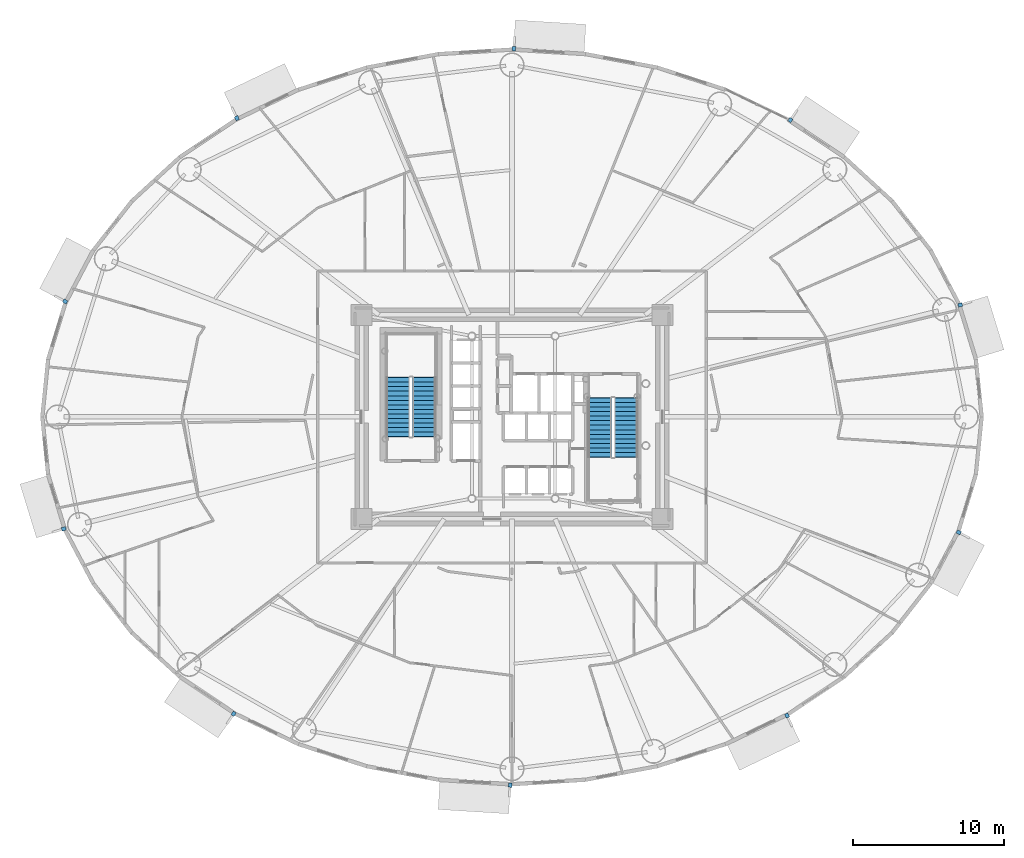
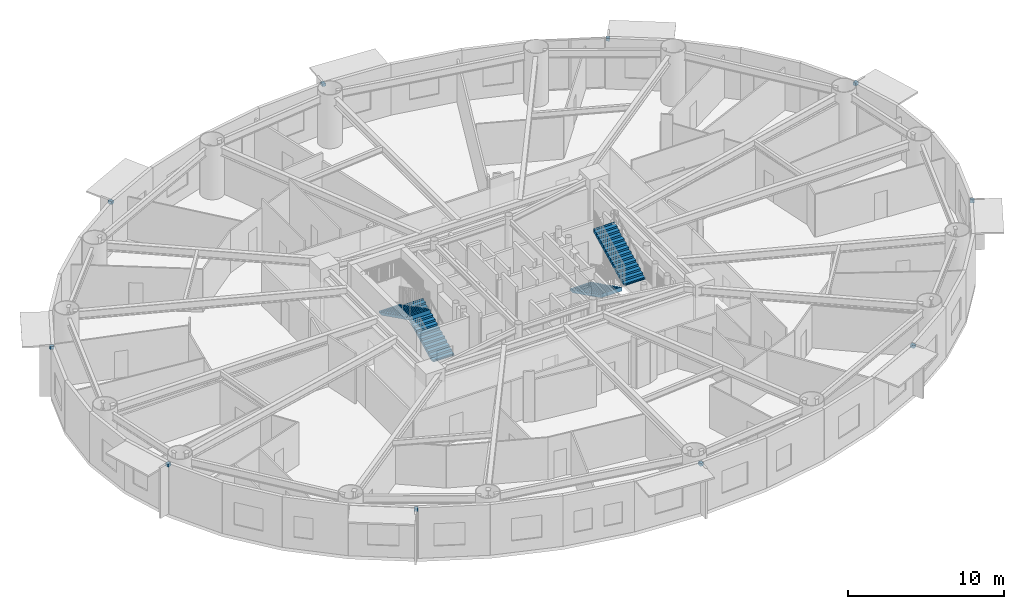
# One storey, part 14 of 21: 10 discrete accessories, 4 stair flights, 2 elements without a shape of their own.
"""IFC4 building model written with IfcOpenShell, lengths in metres."""

from ifc_helpers import new_model, si_unit, direction, frame, origin, origin_2d, place, context, subcontext, project, spatial, polyline, rectangle, outline, extrude, source, transform, mapped, material, type_object, element, aggregate, save


model = new_model("IFC4")

# Units and contexts
model_context = context("Model", 3, precision=1e-05, world=origin(), true_north=direction((0.0, 1.0)))
body_context = subcontext(model_context, "Body", "Model", "MODEL_VIEW")
ifc_project = project(units=[si_unit("LENGTHUNIT", "METRE"), si_unit("AREAUNIT", "SQUARE_METRE"), si_unit("VOLUMEUNIT", "CUBIC_METRE"), si_unit("PLANEANGLEUNIT", "RADIAN"), si_unit("MASSUNIT", "GRAM", prefix="KILO")], contexts=[model_context])

# Site, building, storey
site_placement = place(None, origin())
site = spatial("IfcSite", under=ifc_project, at=site_placement, CompositionType="ELEMENT")
building_placement = place(site_placement, origin())
building = spatial("IfcBuilding", under=site, at=building_placement, Name="Linh Dai School and Residence Tower", CompositionType="ELEMENT")
storey_placement = place(building_placement, frame((0.0, 0.0, 78.60009765625)))
storey = spatial("IfcBuildingStorey", under=building, at=storey_placement, Name="L18", CompositionType="ELEMENT", Elevation=78.60009765625)

# Stair, stair flights
ifc_material_1 = material(Name="Concrete B45 (C35/45)", Category="concrete")
stair_type = type_object("IfcStairType", Name="ST-DOG-1550-R1500", PredefinedType="HALF_TURN_STAIR", material=ifc_material_1)
stair_1_placement = place(storey_placement, origin())
stair_1 = element("IfcStair", 1, at=stair_1_placement, inside=storey, type_object=stair_type, Name="L18 Core Smokeproof Exit Stair ST1", PredefinedType="HALF_TURN_STAIR")
stair_flight_type = type_object("IfcStairFlightType", Name="STF-STR-1550-R1500", PredefinedType="STRAIGHT", material=ifc_material_1)
shared_shape_1 = source(origin(), body_context, "Body", "SweptSolid", [
    extrude(outline(polyline([(-0.02490234375, 0.0), (-0.02490234375, 0.06005859375), (0.0, 0.06005859375), (0.0, 0.14990234375), (0.300048828125, 0.14990234375), (0.300048828125, 0.300048828125), (0.60009765625, 0.300048828125), (0.60009765625, 0.449951171875), (0.89990234375, 0.449951171875), (0.89990234375, 0.60009765625), (1.199951171875, 0.60009765625), (1.199951171875, 0.75), (1.5, 0.75), (1.5, 0.89990234375), (1.800048828125, 0.89990234375), (1.800048828125, 1.050048828125), (2.10009765625, 1.050048828125), (2.10009765625, 1.199951171875), (2.39990234375, 1.199951171875), (2.39990234375, 1.35009765625), (2.699951171875, 1.35009765625), (2.699951171875, 1.5), (3.0, 1.5), (3.0, 1.64990234375), (3.300048828125, 1.64990234375), (3.300048828125, 1.800048828125), (3.60009765625, 1.800048828125), (3.60009765625, 1.949951171875), (3.89990234375, 1.949951171875), (3.89990234375, 2.10009765625), (3.925048828125, 2.10009765625), (3.925048828125, 1.782470703125), (3.89990234375, 1.782470703125), (0.335205078125, 0.0), (-0.02490234375, 0.0)])), frame((0.0, 0.77490234375, 0.0), z_axis=(0.0, -1.0, 0.0), x_axis=(1.0, 0.0, 0.0)), (0.0, 0.0, 1.0), 1.550048828125),
])
stair_flight_1_placement = place(storey_placement, frame((30.205078125, 25.699951171875, 0.0), z_axis=(0.0, 0.0, 1.0), x_axis=(0.0, 1.0, 0.0)))
stair_flight_1 = element("IfcStairFlight", 2, at=stair_flight_1_placement, type_object=stair_flight_type, Name="ST1 flight 1", NumberOfRisers=14, NumberOfTreads=13, PredefinedType="STRAIGHT", RiserHeight=0.15, TreadLength=0.3, context=body_context, shape_type="MappedRepresentation", body=[
    mapped(shared_shape_1, transform((0.0, 0.0, 0.0), x_axis=(1.0, 0.0, 0.0), y_axis=(0.0, 1.0, 0.0), z_axis=(0.0, 0.0, 1.0), scale=1.0)),
])
stair_flight_2_placement = place(storey_placement, frame((28.455078125, 29.60009765625, 2.099853515625), z_axis=(0.0, 0.0, 1.0), x_axis=(0.0, -1.0, 0.0)))
stair_flight_2 = element("IfcStairFlight", 3, at=stair_flight_2_placement, type_object=stair_flight_type, Name="ST1 flight 2", NumberOfRisers=14, NumberOfTreads=13, PredefinedType="STRAIGHT", RiserHeight=0.15, TreadLength=0.3, context=body_context, shape_type="MappedRepresentation", body=[
    mapped(shared_shape_1, transform((0.0, 0.0, 0.0), x_axis=(1.0, 0.0, 0.0), y_axis=(0.0, 1.0, 0.0), z_axis=(0.0, 0.0, 1.0), scale=1.0)),
])
aggregate(stair_1, [stair_flight_1, stair_flight_2])

stair_2_placement = place(storey_placement, origin())
stair_2 = element("IfcStair", 4, at=stair_2_placement, inside=storey, type_object=stair_type, Name="L18 Core Smokeproof Exit Stair ST2", PredefinedType="HALF_TURN_STAIR")
stair_flight_3_placement = place(storey_placement, frame((41.794921875, 28.25, 0.0), z_axis=(0.0, 0.0, 1.0), x_axis=(0.0, -1.0, 0.0)))
stair_flight_3 = element("IfcStairFlight", 5, at=stair_flight_3_placement, type_object=stair_flight_type, Name="ST2 flight 1", NumberOfRisers=14, NumberOfTreads=13, PredefinedType="STRAIGHT", RiserHeight=0.15, TreadLength=0.3, context=body_context, shape_type="MappedRepresentation", body=[
    mapped(shared_shape_1, transform((0.0, 0.0, 0.0), x_axis=(1.0, 0.0, 0.0), y_axis=(0.0, 1.0, 0.0), z_axis=(0.0, 0.0, 1.0), scale=1.0)),
])
stair_flight_4_placement = place(storey_placement, frame((43.544921875, 24.35009765625, 2.099853515625), z_axis=(0.0, 0.0, 1.0), x_axis=(0.0, 1.0, 0.0)))
stair_flight_4 = element("IfcStairFlight", 6, at=stair_flight_4_placement, type_object=stair_flight_type, Name="ST2 flight 2", NumberOfRisers=14, NumberOfTreads=13, PredefinedType="STRAIGHT", RiserHeight=0.15, TreadLength=0.3, context=body_context, shape_type="MappedRepresentation", body=[
    mapped(shared_shape_1, transform((0.0, 0.0, 0.0), x_axis=(1.0, 0.0, 0.0), y_axis=(0.0, 1.0, 0.0), z_axis=(0.0, 0.0, 1.0), scale=1.0)),
])
aggregate(stair_2, [stair_flight_3, stair_flight_4])

# Discrete accessories
ifc_material_2 = material(Name="Structural Steel S355JR", Category="steel")
discrete_accessory_type = type_object("IfcDiscreteAccessoryType", Name="ACC-BRK-S355", PredefinedType="BRACKET", material=ifc_material_2)
shared_shape_2 = source(origin(), body_context, "Body", "SweptSolid", [
    extrude(rectangle(XDim=0.280029296875, YDim=0.239990234375, at=origin_2d()), origin(), (0.0, 0.0, 1.0), 0.219970703125),
])
for number, where, z_axis, x_axis, name in (
    (7, (65.650146484375, 34.404296875, 3.69970703125), (0.0, 0.0, 1.0), (0.956067769001, 0.293145733514, 0.0), "L18 Facade Frame Anchor Bracket 02"),
    (8, (54.41015625, 46.638916015625, 3.69970703125), (0.0, 0.0, 1.0), (0.555897899828, 0.831250578927, 0.0), "L18 Facade Frame Anchor Bracket 06"),
    (9, (36.12353515625, 51.357421875, 3.69970703125), (0.0, 0.0, 1.0), (0.061506595367, 0.998106677027, 0.0), "L18 Facade Frame Anchor Bracket 10"),
    (10, (17.80517578125, 46.76171875, 3.69970703125), (0.0, 0.0, 1.0), (-0.432603008528, 0.901584514626, 0.0), "L18 Facade Frame Anchor Bracket 14"),
    (11, (6.445556640625, 34.635498046875, 3.69970703125), (0.0, 0.0, 1.0), (-0.883933862645, 0.467611940042, 0.0), "L18 Facade Frame Anchor Bracket 18"),
    (12, (6.349853515625, 19.595703125, 3.69970703125), (0.0, 0.0, 1.0), (-0.956067769001, -0.293145733514, 0.0), "L18 Facade Frame Anchor Bracket 22"),
    (13, (17.58984375, 7.361083984375, 3.69970703125), (0.0, 0.0, 1.0), (-0.555897899828, -0.831250578927, 0.0), "L18 Facade Frame Anchor Bracket 26"),
    (14, (35.87646484375, 2.642578125, 3.69970703125), (0.0, 0.0, 1.0), (-0.061506595367, -0.998106677027, 0.0), "L18 Facade Frame Anchor Bracket 30"),
    (15, (54.19482421875, 7.23828125, 3.69970703125), (0.0, 0.0, 1.0), (0.432603008528, -0.901584514626, 0.0), "L18 Facade Frame Anchor Bracket 34"),
    (16, (65.554443359375, 19.364501953125, 3.69970703125), (0.0, 0.0, 1.0), (0.883933862645, -0.467611940042, 0.0), "L18 Facade Frame Anchor Bracket 38"),
):
    element("IfcDiscreteAccessory", number, at=place(storey_placement, frame(where, z_axis=z_axis, x_axis=x_axis)), inside=storey, type_object=discrete_accessory_type, Name=name, PredefinedType="BRACKET", context=body_context, shape_type="MappedRepresentation", body=[
        mapped(shared_shape_2, transform((0.0, 0.0, 0.0), x_axis=(1.0, 0.0, 0.0), y_axis=(0.0, 1.0, 0.0), z_axis=(0.0, 0.0, 1.0), scale=1.0)),
    ])

save(model, "model.ifc")
